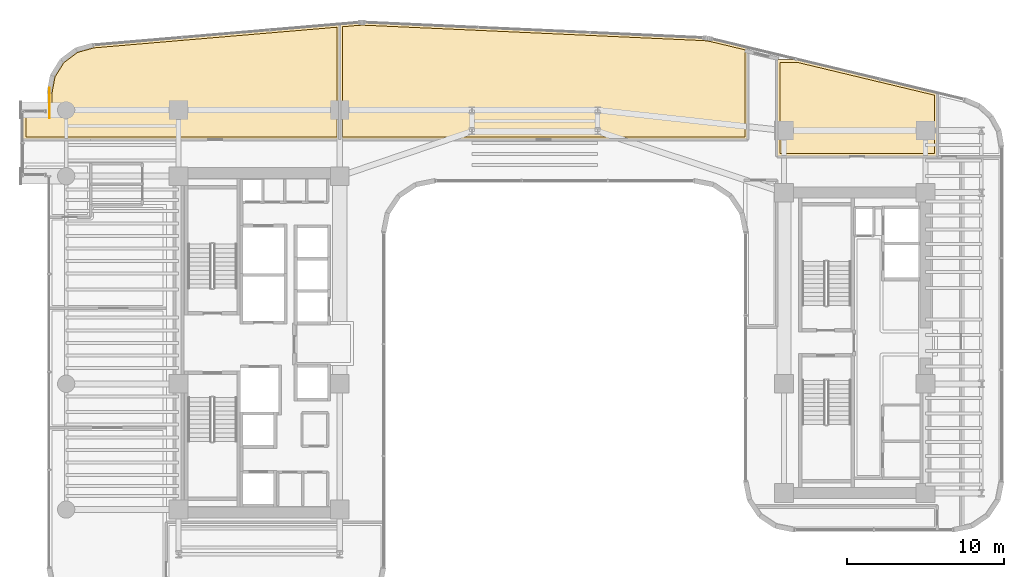
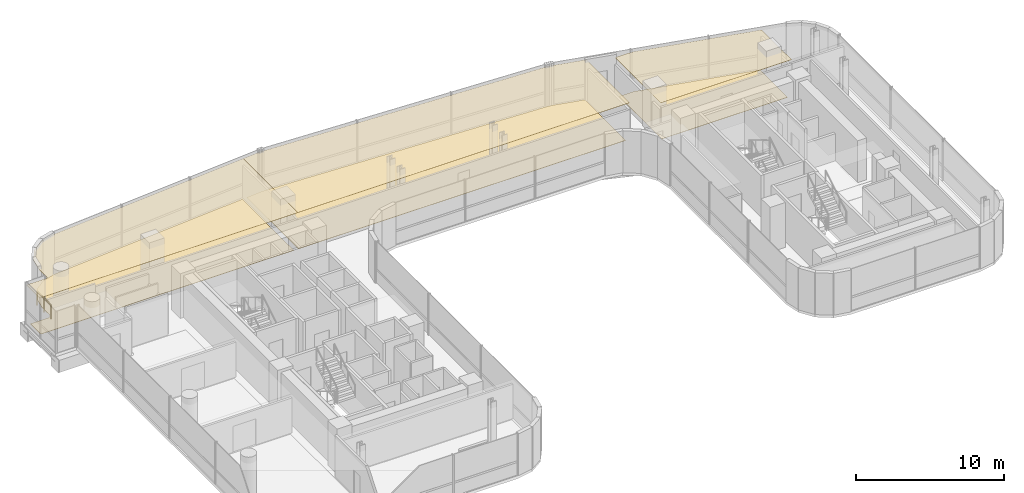
# One storey, part 35 of 35: 6 coverings, 1 railing.
"""IFC4 building model written with IfcOpenShell, lengths in metres."""

import ifcopenshell
import ifcopenshell.guid

model = None  # the IFC model being written
_history = None  # IfcOwnerHistory: only IFC2X3 demands one
_inside = {}  # id of a spatial element -> (the spatial element, [elements in it])
_under = {}  # id of a project, library or spatial element -> (it, [spatial elements below it])
_declared = {}  # id of a project -> (the project, [libraries it declares])
_typed = {}  # id of a type object -> (the type object, [elements of that type])
_made_of = {}  # id of a material, layer set ... -> (it, [elements and type objects made of it])


def new_model(schema):
    """Start an empty IFC model of exactly this schema.

    Asked for "IFC4X3", IfcOpenShell would pick the latest addendum, in which some entities
    have other attributes; the version numbers below select the first issue.
    IFC2X3 requires an IfcOwnerHistory on every rooted entity: one is made here for all.
    """
    global model, _history
    if schema == "IFC4X3":
        model = ifcopenshell.file(schema_version=(4, 3, 0, 0))
    else:
        model = ifcopenshell.file(schema=schema)
    _inside.clear()
    _under.clear()
    _declared.clear()
    _typed.clear()
    _made_of.clear()
    _history = None
    if model.schema == "IFC2X3":
        org = make("IfcOrganization", Name="unknown")
        user = make(
            "IfcPersonAndOrganization",
            ThePerson=make("IfcPerson", FamilyName="unknown"),
            TheOrganization=org,
        )
        app = make(
            "IfcApplication",
            ApplicationDeveloper=org,
            Version="unknown",
            ApplicationFullName="unknown",
            ApplicationIdentifier="unknown",
        )
        _history = make(
            "IfcOwnerHistory",
            OwningUser=user,
            OwningApplication=app,
            ChangeAction="ADDED",
            CreationDate=0,
        )
    return model


def make(cls, **values):
    """One entity of the class cls with the attributes given. An attribute that is None is left unset."""
    return model.create_entity(
        cls, **{name: value for name, value in values.items() if value is not None}
    )


def rooted(cls, **values):
    """An entity with a GlobalId (a new one), such as an element, a storey or a relation."""
    return make(cls, GlobalId=ifcopenshell.guid.new(), OwnerHistory=_history, **values)


def si_unit(unit_type, name, prefix=None):
    """IfcSIUnit, for example si_unit("LENGTHUNIT", "METRE", prefix="MILLI")."""
    return make("IfcSIUnit", UnitType=unit_type, Prefix=prefix, Name=name)


def assignment(units):
    """IfcUnitAssignment: the units of a project."""
    return None if units is None else make("IfcUnitAssignment", Units=units)


def point(xyz):
    """IfcCartesianPoint."""
    return None if xyz is None else make("IfcCartesianPoint", Coordinates=xyz)


def direction(xyz):
    """IfcDirection."""
    return None if xyz is None else make("IfcDirection", DirectionRatios=xyz)


def frame(location, z_axis=None, x_axis=None):
    """IfcAxis2Placement3D, a coordinate frame: its origin and axes. An axis left out is left unset."""
    return make(
        "IfcAxis2Placement3D",
        Location=point(location),
        Axis=direction(z_axis),
        RefDirection=direction(x_axis),
    )


def frame_2d(location, x_axis=None):
    """IfcAxis2Placement2D, a coordinate frame in the plane: its origin and x axis."""
    return make(
        "IfcAxis2Placement2D", Location=point(location), RefDirection=direction(x_axis)
    )


def origin():
    """The frame at (0, 0, 0) with its axes left unset."""
    return frame((0.0, 0.0, 0.0))


def origin_2d():
    """The frame at (0, 0) in the plane with its x axis left unset."""
    return frame_2d((0.0, 0.0))


def place(relative_to, where):
    """IfcLocalPlacement: puts the frame where relative to a parent placement (None: the world)."""
    return make(
        "IfcLocalPlacement", PlacementRelTo=relative_to, RelativePlacement=where
    )


def context(
    kind, dimensions, precision=None, world=None, true_north=None, identifier=None
):
    """IfcGeometricRepresentationContext, for example the 3D "Model" context."""
    return make(
        "IfcGeometricRepresentationContext",
        ContextIdentifier=identifier,
        ContextType=kind,
        CoordinateSpaceDimension=dimensions,
        Precision=precision,
        WorldCoordinateSystem=world,
        TrueNorth=true_north,
    )


def subcontext(parent, identifier, kind, view, scale=None):
    """IfcGeometricRepresentationSubContext, for example "Body" below "Model"."""
    return make(
        "IfcGeometricRepresentationSubContext",
        ContextIdentifier=identifier,
        ContextType=kind,
        ParentContext=parent,
        TargetScale=scale,
        TargetView=view,
    )


def project(units=None, contexts=None):
    """IfcProject with its units and contexts."""
    return rooted(
        "IfcProject",
        Name="project",
        RepresentationContexts=contexts,
        UnitsInContext=assignment(units),
    )


def spatial(cls, under=None, at=None, **own):
    """A site, building, storey or space (cls), placed at a placement, below another one or the project."""
    s = rooted(cls, ObjectPlacement=at, **own)
    if under is not None:
        _under.setdefault(under.id(), (under, []))[1].append(s)
    return s


def polyline(points):
    """IfcPolyline through the points."""
    return make("IfcPolyline", Points=[point(p) for p in points])


def profile(cls, at=None, kind="AREA", **sizes):
    """A parametric profile (cls). Its sizes go by their IFC names, for example OverallWidth=200.0."""
    return make(cls, ProfileType=kind, Position=at, **sizes)


def circle(**sizes):
    """IfcCircleProfileDef."""
    return profile("IfcCircleProfileDef", **sizes)


def outline(outer, holes=None, kind="AREA"):
    """IfcArbitraryClosedProfileDef: a profile drawn as a closed curve; with holes, ...WithVoids."""
    if holes is None:
        return make("IfcArbitraryClosedProfileDef", ProfileType=kind, OuterCurve=outer)
    return make(
        "IfcArbitraryProfileDefWithVoids",
        ProfileType=kind,
        OuterCurve=outer,
        InnerCurves=holes,
    )


def extrude(swept, where, along, depth):
    """IfcExtrudedAreaSolid: the profile swept, set in the frame where, extruded along a direction by depth."""
    return make(
        "IfcExtrudedAreaSolid",
        SweptArea=swept,
        Position=where,
        ExtrudedDirection=direction(along),
        Depth=depth,
    )


def shape(context_of_items, identifier, shape_type, items):
    """IfcShapeRepresentation: the items that make up one representation, for example the "Body"."""
    return make(
        "IfcShapeRepresentation",
        ContextOfItems=context_of_items,
        RepresentationIdentifier=identifier,
        RepresentationType=shape_type,
        Items=items,
    )


def material(Name=None, Category=None):
    """IfcMaterial."""
    return make("IfcMaterial", Name=Name, Category=Category)


def layer(
    of_material, thickness, ventilated=None, Name=None, Category=None, Priority=None
):
    """IfcMaterialLayer: one layer of a wall or slab, of a material (None: an air gap)."""
    return make(
        "IfcMaterialLayer",
        Material=of_material,
        LayerThickness=thickness,
        IsVentilated=ventilated,
        Name=Name,
        Category=Category,
        Priority=Priority,
    )


def layer_set(layers, Name=None):
    """IfcMaterialLayerSet."""
    return make("IfcMaterialLayerSet", MaterialLayers=layers, LayerSetName=Name)


def made_of(thing, what):
    """Note that an element or type object is made of a material, layer set ...; save() writes the relation."""
    if what is not None:
        _made_of.setdefault(what.id(), (what, []))[1].append(thing)
    return thing


def type_object(cls, material=None, **own):
    """A type object (cls), such as IfcWallType, which elements share."""
    return made_of(rooted(cls, **own), material)


def element(
    cls,
    number,
    at=None,
    inside=None,
    cuts=None,
    type_object=None,
    material=None,
    context=None,
    identifier="Body",
    shape_type=None,
    held_by="IfcProductDefinitionShape",
    body=None,
    shapes=None,
    **own,
):
    """One element of the class cls, such as IfcWall. Its Tag is "e" and its number.

    at: its placement. inside: the storey or other place that contains it. cuts: it is an
    opening in that element (IfcRelVoidsElement). A single representation is given by context,
    identifier, shape_type and body (its items); several are given by shapes. held_by: the class
    of the entity that holds the representations. save() writes the other relations.
    """
    e = rooted(cls, Tag="e%d" % number, ObjectPlacement=at, **own)
    if body is not None:
        shapes = [shape(context, identifier, shape_type, body)]
    if shapes is not None:
        e.Representation = make(held_by, Representations=shapes)
    if inside is not None:
        _inside.setdefault(inside.id(), (inside, []))[1].append(e)
    if cuts is not None:
        rooted(
            "IfcRelVoidsElement", RelatingBuildingElement=cuts, RelatedOpeningElement=e
        )
    if type_object is not None:
        _typed.setdefault(type_object.id(), (type_object, []))[1].append(e)
    return made_of(e, material)


def aggregate(whole, parts):
    """IfcRelAggregates: a whole, such as a stair, and the parts it consists of."""
    return rooted("IfcRelAggregates", RelatingObject=whole, RelatedObjects=parts)


def save(model, path):
    """Write the relations noted so far, then the file.

    IfcRelAggregates (storeys below a building ...), IfcRelContainedInSpatialStructure (elements
    in a storey), IfcRelDefinesByType, IfcRelAssociatesMaterial and IfcRelDeclares: one each for
    every whole, place, type object, material and project.
    """
    for whole, parts in _under.values():
        aggregate(whole, parts)
    for where, things in _inside.values():
        rooted(
            "IfcRelContainedInSpatialStructure",
            RelatedElements=things,
            RelatingStructure=where,
        )
    for kind, things in _typed.values():
        rooted("IfcRelDefinesByType", RelatedObjects=things, RelatingType=kind)
    for what, things in _made_of.values():
        rooted("IfcRelAssociatesMaterial", RelatedObjects=things, RelatingMaterial=what)
    for by, libraries in _declared.values():
        rooted("IfcRelDeclares", RelatingContext=by, RelatedDefinitions=libraries)
    model.write(path)


model = new_model("IFC4")

# Units and contexts
model_context = context("Model", 3, precision=1e-05, world=origin(), true_north=direction((0.0, 1.0)))
body_context = subcontext(model_context, "Body", "Model", "MODEL_VIEW")
ifc_project = project(units=[si_unit("LENGTHUNIT", "METRE"), si_unit("AREAUNIT", "SQUARE_METRE"), si_unit("VOLUMEUNIT", "CUBIC_METRE"), si_unit("PLANEANGLEUNIT", "RADIAN"), si_unit("MASSUNIT", "GRAM", prefix="KILO")], contexts=[model_context])

# Site, building, storey
site_placement = place(None, origin())
site = spatial("IfcSite", under=ifc_project, at=site_placement, CompositionType="ELEMENT")
building_placement = place(site_placement, origin())
building = spatial("IfcBuilding", under=site, at=building_placement, Name="Valdorenza Pilgrim Sanctuary Tower", CompositionType="ELEMENT")
storey_placement = place(building_placement, frame((0.0, 0.0, 124.199951171875)))
storey = spatial("IfcBuildingStorey", under=building, at=storey_placement, Name="L31", CompositionType="ELEMENT", Elevation=124.199951171875)

# Coverings
ifc_material_1 = material(Name="Micro-perforated acoustic mineral ceiling tile", Category="gypsum")
ifc_layer_1 = layer(ifc_material_1, 0.02490234375, Name="Micro-perforated acoustic mineral ceiling tile")
ifc_layer_set_1 = layer_set([ifc_layer_1], Name="Micro-perforated acoustic mineral ceiling tile")
covering_type_1 = type_object("IfcCoveringType", Name="COV-CLG-ACU", PredefinedType="CEILING", material=ifc_layer_set_1)
covering_1_placement = place(storey_placement, frame((0.0, 0.0, 3.16015625)))
element("IfcCovering", 1, at=covering_1_placement, inside=storey, type_object=covering_type_1, Name="L31 Sanctuary Administration Office L31-N1 Acoustic Ceiling", PredefinedType="CEILING", context=body_context, shape_type="SweptSolid", body=[
    extrude(outline(polyline([(-32.5400390625, 12.905029296875), (-32.54150390625, 12.905029296875), (-32.54296875, 12.9052734375), (-32.54443359375, 12.905517578125), (-32.545654296875, 12.906005859375), (-32.547119140625, 12.90673828125), (-32.54833984375, 12.907470703125), (-32.549560546875, 12.908447265625), (-32.550537109375, 12.909423828125), (-32.551513671875, 12.910400390625), (-32.552490234375, 12.91162109375), (-32.55322265625, 12.912841796875), (-32.553955078125, 12.914306640625), (-32.554443359375, 12.91552734375), (-32.5546875, 12.9169921875), (-32.554931640625, 12.91845703125), (-32.554931640625, 12.919921875), (-32.554931640625, 14.68994140625), (-32.554931640625, 14.69140625), (-32.5546875, 14.69287109375), (-32.554443359375, 14.6943359375), (-32.553955078125, 14.69580078125), (-32.55322265625, 14.697021484375), (-32.552490234375, 14.6982421875), (-32.551513671875, 14.699462890625), (-32.550537109375, 14.70068359375), (-32.549560546875, 14.70166015625), (-32.54833984375, 14.702392578125), (-32.547119140625, 14.703125), (-32.545654296875, 14.703857421875), (-32.54443359375, 14.704345703125), (-32.54296875, 14.70458984375), (-32.54150390625, 14.704833984375), (-32.5400390625, 14.705078125), (-31.00048828125, 14.705078125), (-30.99072265625, 14.70556640625), (-30.9814453125, 14.706787109375), (-30.972412109375, 14.708984375), (-30.963623046875, 14.712158203125), (-30.955078125, 14.71630859375), (-30.947265625, 14.720947265625), (-30.939697265625, 14.7265625), (-30.932861328125, 14.73291015625), (-30.926513671875, 14.73974609375), (-30.9208984375, 14.747314453125), (-30.916259765625, 14.755126953125), (-30.912109375, 14.763671875), (-30.9091796875, 14.7724609375), (-30.90673828125, 14.781494140625), (-30.905517578125, 14.790771484375), (-30.905029296875, 14.80029296875), (-30.905029296875, 15.850341796875), (-30.90478515625, 15.8515625), (-30.90478515625, 15.85302734375), (-30.692138671875, 16.984130859375), (-30.69189453125, 16.985595703125), (-30.69140625, 16.98681640625), (-30.69091796875, 16.98828125), (-30.690185546875, 16.989501953125), (-30.0869140625, 17.95751953125), (-30.086181640625, 17.958740234375), (-30.085205078125, 17.959716796875), (-30.084228515625, 17.960693359375), (-30.083251953125, 17.961669921875), (-29.169677734375, 18.64453125), (-29.16845703125, 18.6455078125), (-29.167236328125, 18.64599609375), (-29.166015625, 18.646484375), (-29.164794921875, 18.647216796875), (-28.055419921875, 18.95458984375), (-28.05419921875, 18.955078125), (-28.052734375, 18.955078125), (-12.4013671875, 20.285400390625), (-12.39990234375, 20.28564453125), (-12.3984375, 20.285400390625), (-12.39697265625, 20.285400390625), (-12.3955078125, 20.284912109375), (-12.39404296875, 20.284423828125), (-12.392822265625, 20.28369140625), (-12.3916015625, 20.282958984375), (-12.390380859375, 20.281982421875), (-12.389404296875, 20.281005859375), (-12.388427734375, 20.280029296875), (-12.387451171875, 20.27880859375), (-12.38671875, 20.277587890625), (-12.385986328125, 20.2763671875), (-12.385498046875, 20.27490234375), (-12.38525390625, 20.2734375), (-12.385009765625, 20.27197265625), (-12.385009765625, 20.2705078125), (-12.385009765625, 12.919921875), (-12.385009765625, 12.91845703125), (-12.38525390625, 12.9169921875), (-12.385498046875, 12.91552734375), (-12.385986328125, 12.914306640625), (-12.38671875, 12.912841796875), (-12.387451171875, 12.91162109375), (-12.388427734375, 12.910400390625), (-12.389404296875, 12.909423828125), (-12.390380859375, 12.908447265625), (-12.3916015625, 12.907470703125), (-12.392822265625, 12.90673828125), (-12.394287109375, 12.906005859375), (-12.3955078125, 12.905517578125), (-12.397216796875, 12.9052734375), (-12.3984375, 12.905029296875), (-12.39990234375, 12.905029296875), (-32.5400390625, 12.905029296875)])), origin(), (0.0, 0.0, 1.0), 0.02490234375),
])
covering_2_placement = place(storey_placement, frame((0.0, 0.0, 3.16015625)))
element("IfcCovering", 2, at=covering_2_placement, inside=storey, type_object=covering_type_1, Name="L31 Sanctuary Administration Office L31-N2 Acoustic Ceiling", PredefinedType="CEILING", context=body_context, shape_type="SweptSolid", body=[
    extrude(outline(polyline([(-12.4130859375, 20.2705078125), (-12.4130859375, 20.271484375), (-12.412841796875, 20.27294921875), (-12.41259765625, 20.2744140625), (-12.412109375, 20.275634765625), (-12.41162109375, 20.277099609375), (-12.410888671875, 20.2783203125), (-12.41015625, 20.279541015625), (-12.4091796875, 20.280517578125), (-12.408203125, 20.28173828125), (-12.4072265625, 20.28271484375), (-12.406005859375, 20.283447265625), (-12.40478515625, 20.2841796875), (-12.403564453125, 20.28466796875), (-12.402099609375, 20.28515625), (-12.400634765625, 20.285400390625), (-12.3994140625, 20.28564453125), (-11.20068359375, 20.3876953125), (-11.200439453125, 20.3876953125), (-11.099365234375, 20.39453125), (-11.098876953125, 20.39453125), (-10.998291015625, 20.398193359375), (-10.997802734375, 20.398193359375), (-10.897216796875, 20.398681640625), (-10.896728515625, 20.398681640625), (-10.79541015625, 20.3955078125), (-10.795166015625, 20.3955078125), (10.690673828125, 19.4189453125), (10.69091796875, 19.4189453125), (10.838134765625, 19.40869140625), (10.8388671875, 19.40869140625), (10.984375, 19.3916015625), (10.985107421875, 19.3916015625), (11.12939453125, 19.36767578125), (11.130126953125, 19.36767578125), (11.274658203125, 19.336669921875), (11.27490234375, 19.33642578125), (13.553466796875, 18.791015625), (13.554931640625, 18.790771484375), (13.55615234375, 18.790283203125), (13.5576171875, 18.78955078125), (13.55859375, 18.788818359375), (13.559814453125, 18.787841796875), (13.560791015625, 18.786865234375), (13.561767578125, 18.785888671875), (13.5625, 18.78466796875), (13.563232421875, 18.783447265625), (13.56396484375, 18.781982421875), (13.564453125, 18.78076171875), (13.564697265625, 18.779296875), (13.56494140625, 18.778076171875), (13.56494140625, 18.776611328125), (13.56494140625, 12.919921875), (13.56494140625, 12.91845703125), (13.564697265625, 12.9169921875), (13.564453125, 12.91552734375), (13.56396484375, 12.914306640625), (13.563232421875, 12.912841796875), (13.5625, 12.91162109375), (13.5615234375, 12.910400390625), (13.560546875, 12.909423828125), (13.5595703125, 12.908447265625), (13.558349609375, 12.907470703125), (13.55712890625, 12.90673828125), (13.5556640625, 12.906005859375), (13.554443359375, 12.905517578125), (13.552978515625, 12.9052734375), (13.551513671875, 12.905029296875), (13.550048828125, 12.905029296875), (-12.39794921875, 12.905029296875), (-12.3994140625, 12.905029296875), (-12.40087890625, 12.9052734375), (-12.40234375, 12.905517578125), (-12.40380859375, 12.906005859375), (-12.405029296875, 12.90673828125), (-12.40625, 12.907470703125), (-12.407470703125, 12.908447265625), (-12.40869140625, 12.909423828125), (-12.40966796875, 12.910400390625), (-12.410400390625, 12.91162109375), (-12.4111328125, 12.912841796875), (-12.411865234375, 12.914306640625), (-12.412353515625, 12.91552734375), (-12.41259765625, 12.9169921875), (-12.412841796875, 12.91845703125), (-12.4130859375, 12.919921875), (-12.4130859375, 20.2705078125), (-12.4130859375, 20.2705078125)])), origin(), (0.0, 0.0, 1.0), 0.02490234375),
])
covering_3_placement = place(storey_placement, frame((0.0, 0.0, 3.16015625)))
element("IfcCovering", 3, at=covering_3_placement, inside=storey, type_object=covering_type_1, Name="L31 Curator Research Office L31-BN1 Acoustic Ceiling", PredefinedType="CEILING", context=body_context, shape_type="SweptSolid", body=[
    extrude(outline(polyline([(15.39990234375, 11.8349609375), (15.3984375, 11.835205078125), (15.397216796875, 11.835205078125), (15.3955078125, 11.835693359375), (15.394287109375, 11.836181640625), (15.392822265625, 11.8369140625), (15.3916015625, 11.83740234375), (15.390380859375, 11.83837890625), (15.389404296875, 11.83935546875), (15.388427734375, 11.840576171875), (15.387451171875, 11.841796875), (15.38671875, 11.843017578125), (15.385986328125, 11.84423828125), (15.385498046875, 11.845703125), (15.38525390625, 11.84716796875), (15.385009765625, 11.848388671875), (15.385009765625, 11.85009765625), (15.385009765625, 18.0), (15.385009765625, 18.00146484375), (15.38525390625, 18.0029296875), (15.385498046875, 18.00439453125), (15.385986328125, 18.005615234375), (15.38671875, 18.007080078125), (15.387451171875, 18.00830078125), (15.388427734375, 18.009521484375), (15.389404296875, 18.010498046875), (15.390380859375, 18.01171875), (15.3916015625, 18.012451171875), (15.392822265625, 18.01318359375), (15.394287109375, 18.013916015625), (15.3955078125, 18.014404296875), (15.397216796875, 18.0146484375), (15.3984375, 18.014892578125), (15.39990234375, 18.014892578125), (16.794189453125, 18.014892578125), (16.7958984375, 18.014892578125), (16.797607421875, 18.0146484375), (25.603515625, 15.90673828125), (25.60498046875, 15.906494140625), (25.606201171875, 15.906005859375), (25.607421875, 15.9052734375), (25.608642578125, 15.904541015625), (25.60986328125, 15.903564453125), (25.61083984375, 15.902587890625), (25.61181640625, 15.901611328125), (25.612548828125, 15.900390625), (25.61328125, 15.899169921875), (25.614013671875, 15.897705078125), (25.614501953125, 15.896484375), (25.61474609375, 15.89501953125), (25.614990234375, 15.893798828125), (25.614990234375, 15.892333984375), (25.614990234375, 11.85009765625), (25.614990234375, 11.848388671875), (25.61474609375, 11.84716796875), (25.614501953125, 11.845703125), (25.614013671875, 11.84423828125), (25.61328125, 11.843017578125), (25.612548828125, 11.841796875), (25.611572265625, 11.840576171875), (25.610595703125, 11.83935546875), (25.609619140625, 11.83837890625), (25.6083984375, 11.83740234375), (25.607177734375, 11.8369140625), (25.605712890625, 11.836181640625), (25.6044921875, 11.835693359375), (25.602783203125, 11.835205078125), (25.6015625, 11.835205078125), (25.60009765625, 11.8349609375), (15.39990234375, 11.8349609375)])), origin(), (0.0, 0.0, 1.0), 0.02490234375),
])
ifc_material_2 = material(Name="Honed travertine stone flooring", Category="masonry")
ifc_layer_2 = layer(ifc_material_2, 0.030029296875, Name="Honed travertine stone flooring")
ifc_layer_set_2 = layer_set([ifc_layer_2], Name="Honed travertine stone flooring")
covering_type_2 = type_object("IfcCoveringType", Name="COV-FLR-TRV", PredefinedType="FLOORING", material=ifc_layer_set_2)
covering_4_placement = place(storey_placement, origin())
element("IfcCovering", 4, at=covering_4_placement, inside=storey, type_object=covering_type_2, Name="L31 Sanctuary Administration Office L31-N1 Flooring", PredefinedType="FLOORING", context=body_context, shape_type="SweptSolid", body=[
    extrude(outline(polyline([(-32.360107421875, 13.10009765625), (-32.360107421875, 14.510009765625), (-31.0, 14.510009765625), (-30.9912109375, 14.51025390625), (-30.98046875, 14.5107421875), (-30.962890625, 14.512451171875), (-30.9521484375, 14.51416015625), (-30.934814453125, 14.517578125), (-30.92431640625, 14.52001953125), (-30.907470703125, 14.525390625), (-30.897216796875, 14.52880859375), (-30.880859375, 14.53564453125), (-30.87109375, 14.540283203125), (-30.855712890625, 14.548583984375), (-30.84619140625, 14.55419921875), (-30.831787109375, 14.56396484375), (-30.822998046875, 14.5703125), (-30.809326171875, 14.58154296875), (-30.80126953125, 14.5888671875), (-30.788818359375, 14.601318359375), (-30.781494140625, 14.609375), (-30.7705078125, 14.623046875), (-30.763916015625, 14.631591796875), (-30.754150390625, 14.646240234375), (-30.74853515625, 14.655517578125), (-30.740234375, 14.671142578125), (-30.735595703125, 14.680908203125), (-30.72900390625, 14.697265625), (-30.725341796875, 14.70751953125), (-30.72021484375, 14.724365234375), (-30.717529296875, 14.73486328125), (-30.714111328125, 14.752197265625), (-30.71240234375, 14.7626953125), (-30.710693359375, 14.780517578125), (-30.710205078125, 14.791259765625), (-30.7099609375, 14.800048828125), (-30.7099609375, 15.83349609375), (-30.5068359375, 16.9150390625), (-29.939208984375, 17.82568359375), (-29.080078125, 18.46826171875), (-28.01953125, 18.76220703125), (-12.580078125, 20.07470703125), (-12.580078125, 13.10009765625), (-32.360107421875, 13.10009765625)])), origin(), (0.0, 0.0, 1.0), 0.025146484375),
])
covering_5_placement = place(storey_placement, origin())
element("IfcCovering", 5, at=covering_5_placement, inside=storey, type_object=covering_type_2, Name="L31 Sanctuary Administration Office L31-N2 Flooring", PredefinedType="FLOORING", context=body_context, shape_type="SweptSolid", body=[
    extrude(outline(polyline([(-12.218017578125, 13.10009765625), (-12.218017578125, 20.105224609375), (-11.185546875, 20.193115234375), (-11.0888671875, 20.199951171875), (-10.994140625, 20.203125), (-10.8994140625, 20.20361328125), (-10.802490234375, 20.20068359375), (10.6796875, 19.224365234375), (10.820556640625, 19.214599609375), (10.95751953125, 19.198486328125), (11.093505859375, 19.176025390625), (11.231689453125, 19.146484375), (13.3701171875, 18.634521484375), (13.3701171875, 13.10009765625), (-12.218017578125, 13.10009765625)])), origin(), (0.0, 0.0, 1.0), 0.025146484375),
])
covering_6_placement = place(storey_placement, origin())
element("IfcCovering", 6, at=covering_6_placement, inside=storey, type_object=covering_type_2, Name="L31 Curator Research Office L31-BN1 Flooring", PredefinedType="FLOORING", context=body_context, shape_type="SweptSolid", body=[
    extrude(outline(polyline([(15.580078125, 12.030029296875), (15.580078125, 17.820068359375), (16.77294921875, 17.820068359375), (25.419921875, 15.750244140625), (25.419921875, 12.030029296875), (15.580078125, 12.030029296875)])), origin(), (0.0, 0.0, 1.0), 0.025146484375),
])

# Railing
ifc_material_3 = material(Name="Stainless steel Grade 316", Category="steel")
railing_type = type_object("IfcRailingType", Name="RLG-GRD-1120", PredefinedType="GUARDRAIL", material=ifc_material_3)
railing_placement = place(storey_placement, frame((-30.860107421875, 14.300048828125, 0.0)))
element("IfcRailing", 7, at=railing_placement, inside=storey, type_object=railing_type, Name="L31 NW Tangent Safety Sill Guard", PredefinedType="GUARDRAIL", context=body_context, shape_type="SweptSolid", body=[
    extrude(circle(Radius=0.02392578125, at=origin_2d()), frame((0.0, 0.0, 1.17578125), z_axis=(0.0, 1.0, 0.0), x_axis=(-1.0, 0.0, 0.0)), (0.0, 0.0, 1.0), 1.89990234375),
    extrude(circle(Radius=0.02099609375, at=origin_2d()), origin(), (0.0, 0.0, 1.0), 1.15185546875),
    extrude(circle(Radius=0.02099609375, at=origin_2d()), frame((0.0, 0.949951171875, 0.0)), (0.0, 0.0, 1.0), 1.15185546875),
    extrude(circle(Radius=0.02099609375, at=origin_2d()), frame((0.0, 1.89990234375, 0.0)), (0.0, 0.0, 1.0), 1.15185546875),
])

save(model, "model.ifc")
